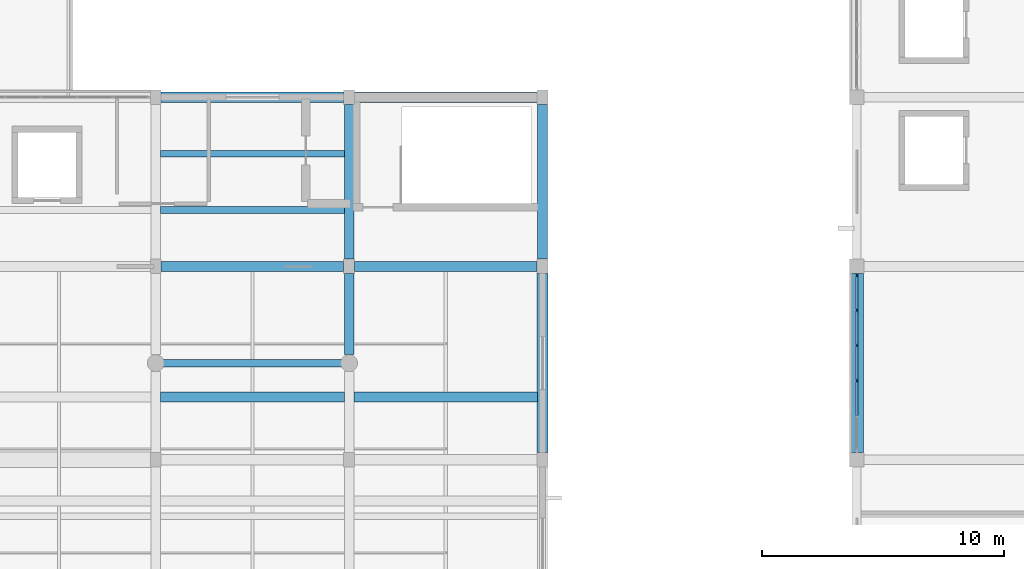
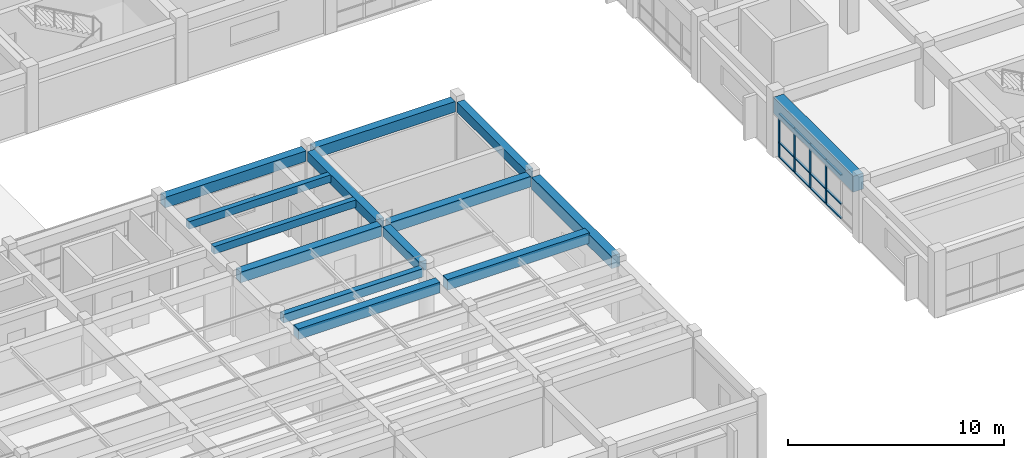
# One storey, part 6 of 33: 16 members, 14 beams, 1 element without a shape of its own.
"""IFC4 building model written with IfcOpenShell, lengths in metres."""

from ifc_helpers import new_model, si_unit, direction, frame, origin, origin_2d, place, context, subcontext, project, spatial, rectangle, extrude, material, layer, layer_set, material_profile, profile_set, type_object, element, aggregate, save


model = new_model("IFC4")

# Units and contexts
model_context = context("Model", 3, precision=1e-05, world=origin(), true_north=direction((0.0, 1.0)))
body_context = subcontext(model_context, "Body", "Model", "MODEL_VIEW")
ifc_project = project(units=[si_unit("LENGTHUNIT", "METRE"), si_unit("AREAUNIT", "SQUARE_METRE"), si_unit("VOLUMEUNIT", "CUBIC_METRE"), si_unit("PLANEANGLEUNIT", "RADIAN"), si_unit("MASSUNIT", "GRAM", prefix="KILO")], contexts=[model_context])

# Site, building, storey
site_placement = place(None, origin())
site = spatial("IfcSite", under=ifc_project, at=site_placement, CompositionType="ELEMENT")
building_placement = place(site_placement, origin())
building = spatial("IfcBuilding", under=site, at=building_placement, Name="Naurynzar Civic Courthouse", CompositionType="ELEMENT")
storey_placement = place(building_placement, frame((0.0, 0.0, 22.050048828125)))
storey = spatial("IfcBuildingStorey", under=building, at=storey_placement, Name="L06", CompositionType="ELEMENT", Elevation=22.050048828125)

# Beams
ifc_material_1 = material(Name="Concrete C40/50", Category="concrete")
ifc_material_profile_1 = material_profile(ifc_material_1, rectangle(XDim=0.27490234375, YDim=0.425048828125, at=origin_2d()), Name="RCB 275x425")
ifc_profile_set_1 = profile_set([ifc_material_profile_1], Name="Concrete C40/50")
beam_type_1 = type_object("IfcBeamType", Name="BM-JST-275x425", PredefinedType="JOIST", material=ifc_profile_set_1)
for number, where, z_axis, x_axis, name in (
    (1, (101.199951171875, 27.333251953125, 3.217529296875), (1.0, 0.0, 0.0), (0.0, 1.0, 0.0), "V3 secondary rib 1693 L06"),
    (2, (101.199951171875, 29.666748046875, 3.217529296875), (1.0, 0.0, 0.0), (0.0, 1.0, 0.0), "V3 secondary rib 1694 L06"),
):
    element("IfcBeam", number, at=place(storey_placement, frame(where, z_axis=z_axis, x_axis=x_axis)), inside=storey, type_object=beam_type_1, Name=name, PredefinedType="JOIST", context=body_context, shape_type="SweptSolid", body=[
        extrude(rectangle(XDim=0.27490234375, YDim=0.425048828125, at=origin_2d()), origin(), (0.0, 0.0, 1.0), 7.60009765625),
    ])
ifc_material_2 = material(Name="Concrete C40/50", Category="concrete")
ifc_material_profile_2 = material_profile(ifc_material_2, rectangle(XDim=0.300048828125, YDim=0.47509765625, at=origin_2d()), Name="RCB 300x475")
ifc_profile_set_2 = profile_set([ifc_material_profile_2], Name="Concrete C40/50")
beam_type_2 = type_object("IfcBeamType", Name="BM-LNT-300x475", PredefinedType="LINTEL", material=ifc_profile_set_2)
beam_1_placement = place(storey_placement, frame((101.25, 21.0, 3.17236328125), z_axis=(1.0, 0.0, 0.0), x_axis=(0.0, 1.0, 0.0)))
element("IfcBeam", 3, at=beam_1_placement, inside=storey, type_object=beam_type_2, Name="Law Library spine lintel beam 12", PredefinedType="LINTEL", context=body_context, shape_type="SweptSolid", body=[
    extrude(rectangle(XDim=0.300048828125, YDim=0.47509765625, at=origin_2d()), origin(), (0.0, 0.0, 1.0), 7.5),
])
ifc_material_3 = material(Name="Concrete C40/50", Category="concrete")
ifc_material_profile_3 = material_profile(ifc_material_3, rectangle(XDim=0.39990234375, YDim=0.550048828125, at=origin_2d()), Name="RCB 400x550")
ifc_profile_set_3 = profile_set([ifc_material_profile_3], Name="Concrete C40/50")
beam_type_3 = type_object("IfcBeamType", Name="BM-RC-400x550", PredefinedType="BEAM", material=ifc_profile_set_3)
beam_2_placement = place(storey_placement, frame((109.0, 21.35009765625, 3.155029296875), z_axis=(0.0, 1.0, 0.0), x_axis=(-1.0, 0.0, 0.0)))
element("IfcBeam", 4, at=beam_2_placement, inside=storey, type_object=beam_type_3, Name="V3 girder Y-1676 L06", PredefinedType="BEAM", context=body_context, shape_type="SweptSolid", body=[
    extrude(rectangle(XDim=0.39990234375, YDim=0.550048828125, at=origin_2d()), origin(), (0.0, 0.0, 1.0), 3.349853515625),
])
for number, where, z_axis, x_axis, name in (
    (5, (109.0, 25.300048828125, 3.155029296875), (0.0, 1.0, 0.0), (-1.0, 0.0, 0.0), "V3 girder Y-1677 L06"),
    (6, (117.0, 25.300048828125, 3.155029296875), (0.0, 1.0, 0.0), (-1.0, 0.0, 0.0), "V3 girder Y-1681 L06"),
):
    element("IfcBeam", number, at=place(storey_placement, frame(where, z_axis=z_axis, x_axis=x_axis)), inside=storey, type_object=beam_type_3, Name=name, PredefinedType="BEAM", context=body_context, shape_type="SweptSolid", body=[
        extrude(rectangle(XDim=0.39990234375, YDim=0.550048828125, at=origin_2d()), origin(), (0.0, 0.0, 1.0), 6.39990234375),
    ])
ifc_material_4 = material(Name="Concrete C40/50", Category="concrete")
ifc_material_profile_4 = material_profile(ifc_material_4, rectangle(XDim=0.425048828125, YDim=0.60009765625, at=origin_2d()), Name="RCB 425x600")
ifc_profile_set_4 = profile_set([ifc_material_profile_4], Name="Concrete C40/50")
beam_type_4 = type_object("IfcBeamType", Name="BM-RC-425x600", PredefinedType="BEAM", material=ifc_profile_set_4)
for number, where, z_axis, x_axis, name in (
    (7, (101.22509765625, 25.0, 3.1298828125), (1.0, 0.0, 0.0), (0.0, 1.0, 0.0), "V3 beam X-1648 L06"),
    (8, (109.22509765625, 25.0, 3.1298828125), (1.0, 0.0, 0.0), (0.0, 1.0, 0.0), "V3 beam X-1649 L06"),
    (9, (101.22509765625, 32.0, 3.1298828125), (1.0, 0.0, 0.0), (0.0, 1.0, 0.0), "V3 beam X-1653 L06"),
    (10, (109.22509765625, 32.0, 3.1298828125), (1.0, 0.0, 0.0), (0.0, 1.0, 0.0), "V3 beam X-1654 L06"),
):
    element("IfcBeam", number, at=place(storey_placement, frame(where, z_axis=z_axis, x_axis=x_axis)), inside=storey, type_object=beam_type_4, Name=name, PredefinedType="BEAM", context=body_context, shape_type="SweptSolid", body=[
        extrude(rectangle(XDim=0.425048828125, YDim=0.60009765625, at=origin_2d()), origin(), (0.0, 0.0, 1.0), 7.5498046875),
    ])
for number, where, z_axis, x_axis, name in (
    (11, (101.199951171875, 19.60009765625, 3.199951171875), (1.0, 0.0, 0.0), (0.0, 1.0, 0.0), "V3 clerestory valley beam 14"),
    (12, (109.199951171875, 19.60009765625, 3.199951171875), (1.0, 0.0, 0.0), (0.0, 1.0, 0.0), "V3 clerestory valley beam 15"),
):
    element("IfcBeam", number, at=place(storey_placement, frame(where, z_axis=z_axis, x_axis=x_axis)), inside=storey, type_object=beam_type_4, Name=name, PredefinedType="BEAM", context=body_context, shape_type="SweptSolid", body=[
        extrude(rectangle(XDim=0.425048828125, YDim=0.60009765625, at=origin_2d()), origin(), (0.0, 0.0, 1.0), 7.60009765625),
    ])
ifc_material_5 = material(Name="Concrete C40/50", Category="concrete")
ifc_material_profile_5 = material_profile(ifc_material_5, rectangle(XDim=0.449951171875, YDim=0.699951171875, at=origin_2d()), Name="RCB 450x700")
ifc_profile_set_5 = profile_set([ifc_material_profile_5], Name="Concrete C40/50")
beam_type_5 = type_object("IfcBeamType", Name="BM-RC-450x700", PredefinedType="BEAM", material=ifc_profile_set_5)
beam_3_placement = place(storey_placement, frame((117.0, 17.300048828125, 3.079833984375), z_axis=(0.0, 1.0, 0.0), x_axis=(-1.0, 0.0, 0.0)))
element("IfcBeam", 13, at=beam_3_placement, inside=storey, type_object=beam_type_5, Name="V3 girder Y-1680 L06", PredefinedType="BEAM", context=body_context, shape_type="SweptSolid", body=[
    extrude(rectangle(XDim=0.449951171875, YDim=0.699951171875, at=origin_2d()), origin(), (0.0, 0.0, 1.0), 7.39990234375),
])
ifc_material_6 = material(Name="Concrete C40/50", Category="concrete")
ifc_material_profile_6 = material_profile(ifc_material_6, rectangle(XDim=0.550048828125, YDim=0.89990234375, at=origin_2d()), Name="RCB 550x900")
ifc_profile_set_6 = profile_set([ifc_material_profile_6], Name="Concrete C40/50")
beam_type_6 = type_object("IfcBeamType", Name="BM-RC-550x900", PredefinedType="T_BEAM", material=ifc_profile_set_6)
beam_4_placement = place(storey_placement, frame((130.0, 17.300048828125, 2.97998046875), z_axis=(0.0, 1.0, 0.0), x_axis=(-1.0, 0.0, 0.0)))
element("IfcBeam", 14, at=beam_4_placement, inside=storey, type_object=beam_type_6, Name="V5 girder Y-2760 L06", PredefinedType="T_BEAM", context=body_context, shape_type="SweptSolid", body=[
    extrude(rectangle(XDim=0.550048828125, YDim=0.89990234375, at=origin_2d()), origin(), (0.0, 0.0, 1.0), 7.39990234375),
])

# Curtain wall, members
ifc_material_7 = material(Name="Aluminium 6063-T6", Category="aluminium")
ifc_layer = layer(ifc_material_7, 0.179931640625)
ifc_layer_set = layer_set([ifc_layer], Name="CW-UNIT-1500")
curtain_wall_type = type_object("IfcCurtainWallType", Name="CW-UNIT-1500", PredefinedType="NOTDEFINED", material=ifc_layer_set)
curtain_wall_placement = place(storey_placement, origin())
curtain_wall = element("IfcCurtainWall", 15, at=curtain_wall_placement, inside=storey, type_object=curtain_wall_type, Name="V5 unitised curtain wall 106 L06", PredefinedType="NOTDEFINED")
ifc_material_8 = material(Name="Aluminium 6063-T6", Category="aluminium")
ifc_material_profile_7 = material_profile(ifc_material_8, rectangle(XDim=0.06005859375, YDim=0.14990234375, at=origin_2d()), Name="ALU MULLION 60x150")
ifc_profile_set_7 = profile_set([ifc_material_profile_7], Name="Aluminium 6063-T6")
member_type_1 = type_object("IfcMemberType", Name="CWM-60x150", PredefinedType="MULLION", material=ifc_profile_set_7)
member_1_placement = place(storey_placement, frame((130.0, 20.27001953125, 0.0), z_axis=(0.0, 0.0, 1.0), x_axis=(-1.0, 0.0, 0.0)))
member_1 = element("IfcMember", 16, at=member_1_placement, type_object=member_type_1, Name="CW-01 mullion 3", PredefinedType="MULLION", context=body_context, shape_type="SweptSolid", body=[
    extrude(rectangle(XDim=0.06005859375, YDim=0.14990234375, at=origin_2d()), origin(), (0.0, 0.0, 1.0), 2.510009765625),
])
member_2_placement = place(storey_placement, frame((130.0, 21.72998046875, 0.0), z_axis=(0.0, 0.0, 1.0), x_axis=(-1.0, 0.0, 0.0)))
member_2 = element("IfcMember", 17, at=member_2_placement, type_object=member_type_1, Name="CW-01 mullion 4", PredefinedType="MULLION", context=body_context, shape_type="SweptSolid", body=[
    extrude(rectangle(XDim=0.06005859375, YDim=0.14990234375, at=origin_2d()), origin(), (0.0, 0.0, 1.0), 2.510009765625),
])
member_3_placement = place(storey_placement, frame((130.0, 23.18994140625, 0.0), z_axis=(0.0, 0.0, 1.0), x_axis=(-1.0, 0.0, 0.0)))
member_3 = element("IfcMember", 18, at=member_3_placement, type_object=member_type_1, Name="CW-01 mullion 5", PredefinedType="MULLION", context=body_context, shape_type="SweptSolid", body=[
    extrude(rectangle(XDim=0.06005859375, YDim=0.14990234375, at=origin_2d()), origin(), (0.0, 0.0, 1.0), 2.510009765625),
])
member_4_placement = place(storey_placement, frame((130.0, 24.6201171875, 0.0), z_axis=(0.0, 0.0, 1.0), x_axis=(-1.0, 0.0, 0.0)))
member_4 = element("IfcMember", 19, at=member_4_placement, type_object=member_type_1, Name="CW-01 mullion 6", PredefinedType="MULLION", context=body_context, shape_type="SweptSolid", body=[
    extrude(rectangle(XDim=0.06005859375, YDim=0.14990234375, at=origin_2d()), origin(), (0.0, 0.0, 1.0), 2.510009765625),
])
ifc_material_9 = material(Name="Aluminium 6063-T6", Category="aluminium")
ifc_material_profile_8 = material_profile(ifc_material_9, rectangle(XDim=0.110107421875, YDim=0.06005859375, at=origin_2d()), Name="ALU TRANSOM 60x110")
ifc_profile_set_8 = profile_set([ifc_material_profile_8], Name="Aluminium 6063-T6")
member_type_2 = type_object("IfcMemberType", Name="CWT-60x110", PredefinedType="USERDEFINED", material=ifc_profile_set_8)
member_5_placement = place(storey_placement, frame((130.0, 18.840087890625, 0.030029296875), z_axis=(0.0, 1.0, 0.0), x_axis=(-1.0, 0.0, 0.0)))
member_5 = element("IfcMember", 20, at=member_5_placement, type_object=member_type_2, Name="CW-01 transom 2.1", ObjectType="TRANSOM", PredefinedType="USERDEFINED", context=body_context, shape_type="SweptSolid", body=[
    extrude(rectangle(XDim=0.110107421875, YDim=0.06005859375, at=origin_2d()), origin(), (0.0, 0.0, 1.0), 1.39990234375),
])
member_6_placement = place(storey_placement, frame((130.0, 18.840087890625, 0.849853515625), z_axis=(0.0, 1.0, 0.0), x_axis=(-1.0, 0.0, 0.0)))
member_6 = element("IfcMember", 21, at=member_6_placement, type_object=member_type_2, Name="CW-01 transom 2.2", ObjectType="TRANSOM", PredefinedType="USERDEFINED", context=body_context, shape_type="SweptSolid", body=[
    extrude(rectangle(XDim=0.110107421875, YDim=0.06005859375, at=origin_2d()), origin(), (0.0, 0.0, 1.0), 1.39990234375),
])
member_7_placement = place(storey_placement, frame((130.0, 18.840087890625, 2.47998046875), z_axis=(0.0, 1.0, 0.0), x_axis=(-1.0, 0.0, 0.0)))
member_7 = element("IfcMember", 22, at=member_7_placement, type_object=member_type_2, Name="CW-01 transom 2.3", ObjectType="TRANSOM", PredefinedType="USERDEFINED", context=body_context, shape_type="SweptSolid", body=[
    extrude(rectangle(XDim=0.110107421875, YDim=0.06005859375, at=origin_2d()), origin(), (0.0, 0.0, 1.0), 1.39990234375),
])
member_8_placement = place(storey_placement, frame((130.0, 20.300048828125, 0.030029296875), z_axis=(0.0, 1.0, 0.0), x_axis=(-1.0, 0.0, 0.0)))
member_8 = element("IfcMember", 23, at=member_8_placement, type_object=member_type_2, Name="CW-01 transom 3.1", ObjectType="TRANSOM", PredefinedType="USERDEFINED", context=body_context, shape_type="SweptSolid", body=[
    extrude(rectangle(XDim=0.110107421875, YDim=0.06005859375, at=origin_2d()), origin(), (0.0, 0.0, 1.0), 1.39990234375),
])
member_9_placement = place(storey_placement, frame((130.0, 20.300048828125, 0.849853515625), z_axis=(0.0, 1.0, 0.0), x_axis=(-1.0, 0.0, 0.0)))
member_9 = element("IfcMember", 24, at=member_9_placement, type_object=member_type_2, Name="CW-01 transom 3.2", ObjectType="TRANSOM", PredefinedType="USERDEFINED", context=body_context, shape_type="SweptSolid", body=[
    extrude(rectangle(XDim=0.110107421875, YDim=0.06005859375, at=origin_2d()), origin(), (0.0, 0.0, 1.0), 1.39990234375),
])
member_10_placement = place(storey_placement, frame((130.0, 20.300048828125, 2.47998046875), z_axis=(0.0, 1.0, 0.0), x_axis=(-1.0, 0.0, 0.0)))
member_10 = element("IfcMember", 25, at=member_10_placement, type_object=member_type_2, Name="CW-01 transom 3.3", ObjectType="TRANSOM", PredefinedType="USERDEFINED", context=body_context, shape_type="SweptSolid", body=[
    extrude(rectangle(XDim=0.110107421875, YDim=0.06005859375, at=origin_2d()), origin(), (0.0, 0.0, 1.0), 1.39990234375),
])
member_11_placement = place(storey_placement, frame((130.0, 21.760009765625, 0.030029296875), z_axis=(0.0, 1.0, 0.0), x_axis=(-1.0, 0.0, 0.0)))
member_11 = element("IfcMember", 26, at=member_11_placement, type_object=member_type_2, Name="CW-01 transom 4.1", ObjectType="TRANSOM", PredefinedType="USERDEFINED", context=body_context, shape_type="SweptSolid", body=[
    extrude(rectangle(XDim=0.110107421875, YDim=0.06005859375, at=origin_2d()), origin(), (0.0, 0.0, 1.0), 1.39990234375),
])
member_12_placement = place(storey_placement, frame((130.0, 21.760009765625, 0.849853515625), z_axis=(0.0, 1.0, 0.0), x_axis=(-1.0, 0.0, 0.0)))
member_12 = element("IfcMember", 27, at=member_12_placement, type_object=member_type_2, Name="CW-01 transom 4.2", ObjectType="TRANSOM", PredefinedType="USERDEFINED", context=body_context, shape_type="SweptSolid", body=[
    extrude(rectangle(XDim=0.110107421875, YDim=0.06005859375, at=origin_2d()), origin(), (0.0, 0.0, 1.0), 1.39990234375),
])
member_13_placement = place(storey_placement, frame((130.0, 21.760009765625, 2.47998046875), z_axis=(0.0, 1.0, 0.0), x_axis=(-1.0, 0.0, 0.0)))
member_13 = element("IfcMember", 28, at=member_13_placement, type_object=member_type_2, Name="CW-01 transom 4.3", ObjectType="TRANSOM", PredefinedType="USERDEFINED", context=body_context, shape_type="SweptSolid", body=[
    extrude(rectangle(XDim=0.110107421875, YDim=0.06005859375, at=origin_2d()), origin(), (0.0, 0.0, 1.0), 1.39990234375),
])
member_14_placement = place(storey_placement, frame((130.0, 23.219970703125, 0.030029296875), z_axis=(0.0, 1.0, 0.0), x_axis=(-1.0, 0.0, 0.0)))
member_14 = element("IfcMember", 29, at=member_14_placement, type_object=member_type_2, Name="CW-01 transom 5.1", ObjectType="TRANSOM", PredefinedType="USERDEFINED", context=body_context, shape_type="SweptSolid", body=[
    extrude(rectangle(XDim=0.110107421875, YDim=0.06005859375, at=origin_2d()), origin(), (0.0, 0.0, 1.0), 1.3701171875),
])
member_15_placement = place(storey_placement, frame((130.0, 23.219970703125, 0.849853515625), z_axis=(0.0, 1.0, 0.0), x_axis=(-1.0, 0.0, 0.0)))
member_15 = element("IfcMember", 30, at=member_15_placement, type_object=member_type_2, Name="CW-01 transom 5.2", ObjectType="TRANSOM", PredefinedType="USERDEFINED", context=body_context, shape_type="SweptSolid", body=[
    extrude(rectangle(XDim=0.110107421875, YDim=0.06005859375, at=origin_2d()), origin(), (0.0, 0.0, 1.0), 1.3701171875),
])
member_16_placement = place(storey_placement, frame((130.0, 23.219970703125, 2.47998046875), z_axis=(0.0, 1.0, 0.0), x_axis=(-1.0, 0.0, 0.0)))
member_16 = element("IfcMember", 31, at=member_16_placement, type_object=member_type_2, Name="CW-01 transom 5.3", ObjectType="TRANSOM", PredefinedType="USERDEFINED", context=body_context, shape_type="SweptSolid", body=[
    extrude(rectangle(XDim=0.110107421875, YDim=0.06005859375, at=origin_2d()), origin(), (0.0, 0.0, 1.0), 1.3701171875),
])
aggregate(curtain_wall, [member_1, member_2, member_3, member_4, member_5, member_6, member_7, member_8, member_9, member_10, member_11, member_12, member_13, member_14, member_15, member_16])

save(model, "model.ifc")
